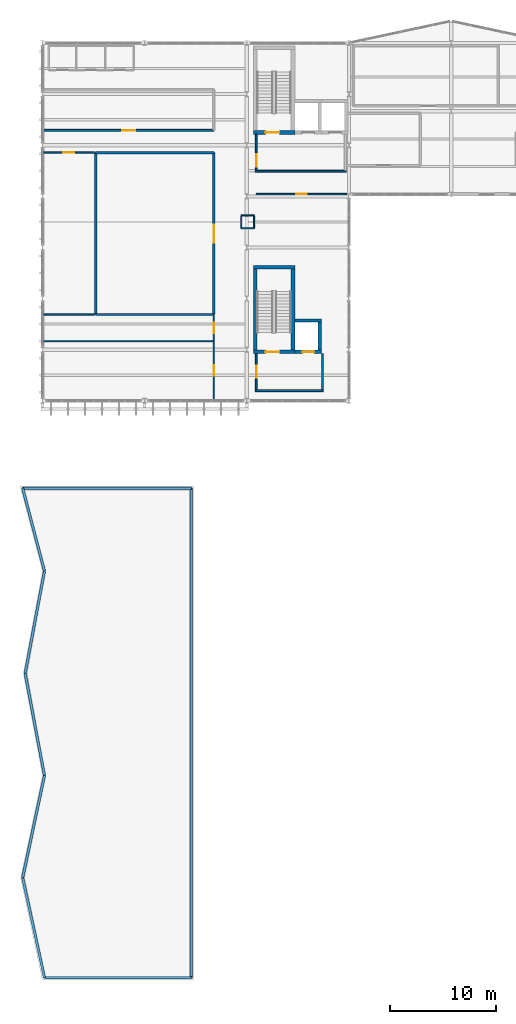
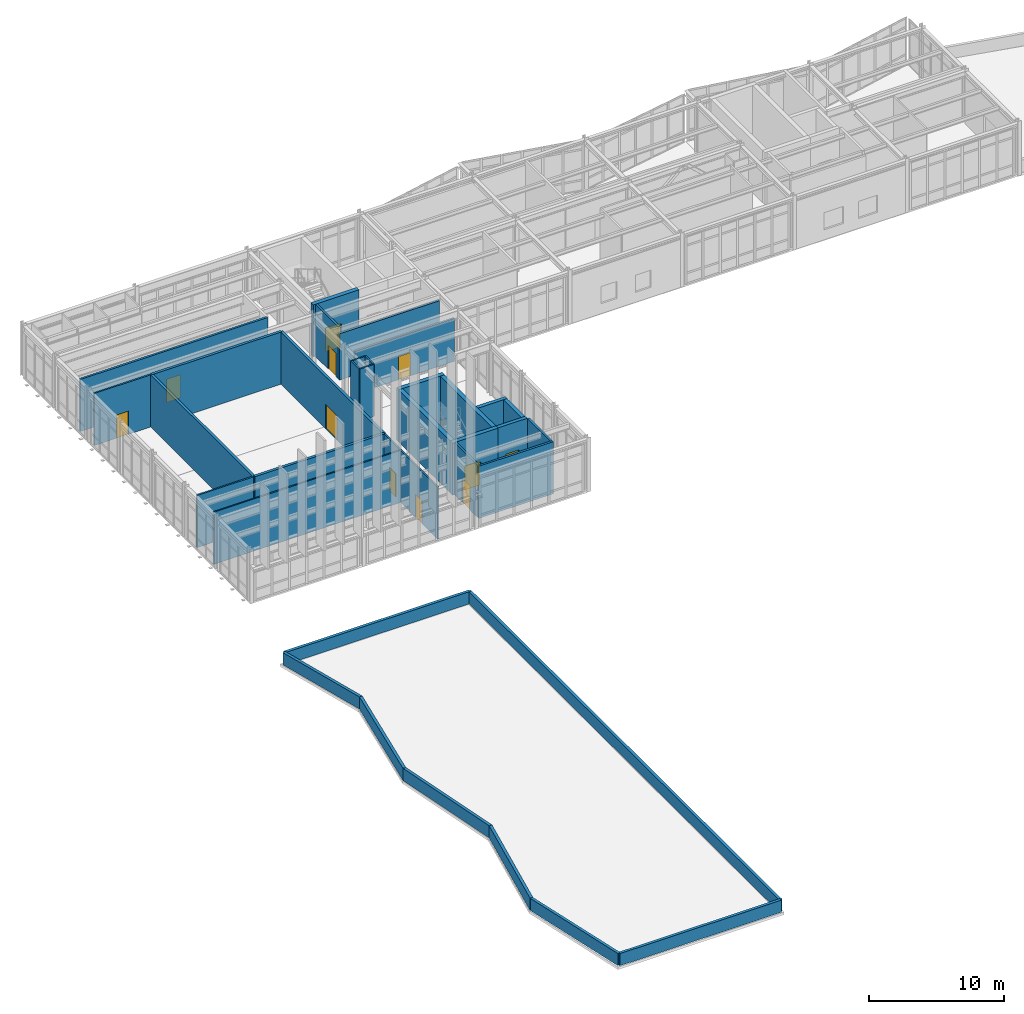
# One storey, part 22 of 28: 36 walls, 11 doors, 11 openings.
"""IFC4 building model written with IfcOpenShell, lengths in metres."""

from ifc_helpers import new_model, si_unit, direction, frame, frame_2d, origin, place, context, subcontext, project, spatial, rectangle, extrude, material, layer, layer_set, type_object, element, fill, save


model = new_model("IFC4")

# Units and contexts
model_context = context("Model", 3, precision=1e-05, world=origin(), true_north=direction((0.0, 1.0)))
body_context = subcontext(model_context, "Body", "Model", "MODEL_VIEW")
ifc_project = project(units=[si_unit("LENGTHUNIT", "METRE"), si_unit("AREAUNIT", "SQUARE_METRE"), si_unit("VOLUMEUNIT", "CUBIC_METRE"), si_unit("PLANEANGLEUNIT", "RADIAN"), si_unit("MASSUNIT", "GRAM", prefix="KILO")], contexts=[model_context])

# Site, building, storey
site_placement = place(None, origin())
site = spatial("IfcSite", under=ifc_project, at=site_placement, CompositionType="ELEMENT")
building_placement = place(site_placement, origin())
building = spatial("IfcBuilding", under=site, at=building_placement, Name="Nordkorset Police Headquarters", CompositionType="ELEMENT")
storey_placement = place(building_placement, frame((0.0, 0.0, 26.25)))
storey = spatial("IfcBuildingStorey", under=building, at=storey_placement, Name="L06", CompositionType="ELEMENT", Elevation=26.25)

# Wall
ifc_material_1 = material(Name="Gypsum board", Category="gypsum")
ifc_layer_1 = layer(ifc_material_1, 0.139892578125, Name="Gypsum board")
ifc_layer_set_1 = layer_set([ifc_layer_1], Name="Gypsum board")
wall_type_1 = type_object("IfcWallType", Name="Wall_Acoust_140", PredefinedType="PARTITIONING", material=ifc_layer_set_1)
wall_1_placement = place(storey_placement, frame((0.0849609375, 91.300048828125, 0.0), z_axis=(0.0, 0.0, 1.0), x_axis=(1.0, 0.0, 0.0)))
element("IfcWall", 1, at=wall_1_placement, inside=storey, type_object=wall_type_1, Name="Interior Partition Wall Gold Command Operations Room", PredefinedType="PARTITIONING", context=body_context, shape_type="SweptSolid", body=[
    extrude(rectangle(XDim=4.81005859375, YDim=0.139892578125, at=frame_2d((2.405029296875, 0.0))), origin(), (0.0, 0.0, 1.0), 4.7099609375),
])

# Wall, opening, door
wall_2_placement = place(storey_placement, frame((4.89501953125, 106.5, 0.0), z_axis=(0.0, 0.0, 1.0), x_axis=(-1.0, 0.0, 0.0)))
wall_2 = element("IfcWall", 2, at=wall_2_placement, inside=storey, type_object=wall_type_1, Name="Interior Partition Wall Gold Command Operations Room", PredefinedType="PARTITIONING", context=body_context, shape_type="SweptSolid", body=[
    extrude(rectangle(XDim=4.81005859375, YDim=0.139892578125, at=frame_2d((2.405029296875, 0.0))), origin(), (0.0, 0.0, 1.0), 4.7099609375),
])
opening_1_placement = place(wall_2_placement, frame((1.89501953125, 0.0, 0.0)))
opening_1 = element("IfcOpeningElement", 3, at=opening_1_placement, cuts=wall_2, Name="Opening DR-19", PredefinedType="OPENING", context=body_context, shape_type="SweptSolid", body=[
    extrude(rectangle(XDim=1.02001953125, YDim=2.10009765625, at=frame_2d((0.510009765625, 1.050048828125))), frame((0.0, 0.080078125, 0.0), z_axis=(0.0, -1.0, 0.0), x_axis=(1.0, 0.0, 0.0)), (0.0, 0.0, 1.0), 0.159912109375),
])
ifc_material_2 = material(Name="Glulam GL30c", Category="wood")
door_type_1 = type_object("IfcDoorType", Name="Door_Office_1020x2100", OperationType="NOTDEFINED", PredefinedType="DOOR", material=ifc_material_2)
door_1_placement = place(opening_1_placement, origin())
door_1 = element("IfcDoor", 4, at=door_1_placement, inside=storey, type_object=door_type_1, Name="Interior Door Gold Command Operations Room", OperationType="SINGLE_SWING_RIGHT", OverallHeight=2.10009765625, OverallWidth=1.02001953125, PredefinedType="DOOR", context=body_context, shape_type="SweptSolid", body=[
    extrude(rectangle(XDim=1.02001953125, YDim=2.10009765625, at=frame_2d((0.510009765625, 1.050048828125))), frame((0.0, 0.02490234375, 0.0), z_axis=(0.0, -1.0, 0.0), x_axis=(1.0, 0.0, 0.0)), (0.0, 0.0, 1.0), 0.050048828125),
])
fill(opening_1, door_1)

wall_3_placement = place(storey_placement, frame((28.60009765625, 102.60009765625, 0.0), z_axis=(0.0, 0.0, 1.0), x_axis=(-1.0, 0.0, 0.0)))
wall_3 = element("IfcWall", 5, at=wall_3_placement, inside=storey, type_object=wall_type_1, Name="Interior Partition Wall Gold Commander Situation Suite", PredefinedType="PARTITIONING", context=body_context, shape_type="SweptSolid", body=[
    extrude(rectangle(XDim=8.52001953125, YDim=0.139892578125, at=frame_2d((4.260009765625, 0.0))), origin(), (0.0, 0.0, 1.0), 3.889892578125),
])
opening_2_placement = place(wall_3_placement, frame((3.75, 0.0, 0.0)))
opening_2 = element("IfcOpeningElement", 6, at=opening_2_placement, cuts=wall_3, Name="Opening DR-19", PredefinedType="OPENING", context=body_context, shape_type="SweptSolid", body=[
    extrude(rectangle(XDim=1.02001953125, YDim=2.10009765625, at=frame_2d((0.510009765625, 1.050048828125))), frame((0.0, 0.080078125, 0.0), z_axis=(0.0, -1.0, 0.0), x_axis=(1.0, 0.0, 0.0)), (0.0, 0.0, 1.0), 0.159912109375),
])
door_2_placement = place(opening_2_placement, origin())
door_2 = element("IfcDoor", 7, at=door_2_placement, inside=storey, type_object=door_type_1, Name="Interior Door Gold Commander Situation Suite", OperationType="SINGLE_SWING_RIGHT", OverallHeight=2.10009765625, OverallWidth=1.02001953125, PredefinedType="DOOR", context=body_context, shape_type="SweptSolid", body=[
    extrude(rectangle(XDim=1.02001953125, YDim=2.10009765625, at=frame_2d((0.510009765625, 1.050048828125))), frame((0.0, 0.02490234375, 0.0), z_axis=(0.0, -1.0, 0.0), x_axis=(1.0, 0.0, 0.0)), (0.0, 0.0, 1.0), 0.050048828125),
])
fill(opening_2, door_2)

# Wall
ifc_material_3 = material(Name="Gypsum board", Category="gypsum")
ifc_layer_2 = layer(ifc_material_3, 0.179931640625, Name="Gypsum board")
ifc_layer_set_2 = layer_set([ifc_layer_2], Name="Gypsum board")
wall_type_2 = type_object("IfcWallType", Name="Wall_Comp_180", PredefinedType="PARTITIONING", material=ifc_layer_set_2)
wall_4_placement = place(storey_placement, frame((20.0, 104.760009765625, 0.0), z_axis=(0.0, 0.0, 1.0), x_axis=(1.0, 0.0, 0.0)))
element("IfcWall", 8, at=wall_4_placement, inside=storey, type_object=wall_type_2, Name="Firefighting Lobby EI 60 Wall K1 L06 S", PredefinedType="PARTITIONING", context=body_context, shape_type="SweptSolid", body=[
    extrude(rectangle(XDim=8.550048828125, YDim=0.179931640625, at=frame_2d((4.27490234375, 0.0))), origin(), (0.0, 0.0, 1.0), 4.18994140625),
])

# Wall, opening, door
wall_5_placement = place(storey_placement, frame((20.090087890625, 104.85009765625, 0.0), z_axis=(0.0, 0.0, 1.0), x_axis=(0.0, 1.0, 0.0)))
wall_5 = element("IfcWall", 9, at=wall_5_placement, inside=storey, type_object=wall_type_2, Name="Firefighting Lobby EI 60 Wall K1 L06 W", PredefinedType="PARTITIONING", context=body_context, shape_type="SweptSolid", body=[
    extrude(rectangle(XDim=3.375, YDim=0.179931640625, at=frame_2d((1.6875, 0.0))), origin(), (0.0, 0.0, 1.0), 4.7099609375),
])
opening_3_placement = place(wall_5_placement, frame((0.35009765625, 0.0, 0.0)))
opening_3 = element("IfcOpeningElement", 10, at=opening_3_placement, cuts=wall_5, Name="Opening DR-01", PredefinedType="OPENING", context=body_context, shape_type="SweptSolid", body=[
    extrude(rectangle(XDim=1.14990234375, YDim=2.14990234375, at=frame_2d((0.574951171875, 1.074951171875))), frame((0.0, 0.10009765625, 0.0), z_axis=(0.0, -1.0, 0.0), x_axis=(1.0, 0.0, 0.0)), (0.0, 0.0, 1.0), 0.199951171875),
])
ifc_material_4 = material(Name="Steel S355J2", Category="steel")
door_type_2 = type_object("IfcDoorType", Name="Door_LobbySingle_1150x2150", OperationType="NOTDEFINED", PredefinedType="DOOR", material=ifc_material_4)
door_3_placement = place(opening_3_placement, origin())
door_3 = element("IfcDoor", 11, at=door_3_placement, inside=storey, type_object=door_type_2, Name="Firefighting Lobby Smoke Door K1 L06 W", OperationType="SINGLE_SWING_LEFT", OverallHeight=2.14990234375, OverallWidth=1.14990234375, PredefinedType="DOOR", context=body_context, shape_type="SweptSolid", body=[
    extrude(rectangle(XDim=1.14990234375, YDim=2.14990234375, at=frame_2d((0.574951171875, 1.074951171875))), frame((0.0, 0.02490234375, 0.0), z_axis=(0.0, -1.0, 0.0), x_axis=(1.0, 0.0, 0.0)), (0.0, 0.0, 1.0), 0.050048828125),
])
fill(opening_3, door_3)

# Wall
wall_6_placement = place(storey_placement, frame((20.0, 84.159912109375, 0.0), z_axis=(0.0, 0.0, 1.0), x_axis=(1.0, 0.0, 0.0)))
element("IfcWall", 12, at=wall_6_placement, inside=storey, type_object=wall_type_2, Name="Firefighting Lobby EI 60 Wall K3 L06 S", PredefinedType="PARTITIONING", context=body_context, shape_type="SweptSolid", body=[
    extrude(rectangle(XDim=6.39990234375, YDim=0.179931640625, at=frame_2d((3.199951171875, 0.0))), origin(), (0.0, 0.0, 1.0), 4.7099609375),
])

# Wall, opening, door
wall_7_placement = place(storey_placement, frame((20.090087890625, 84.25, 0.0), z_axis=(0.0, 0.0, 1.0), x_axis=(0.0, 1.0, 0.0)))
wall_7 = element("IfcWall", 13, at=wall_7_placement, inside=storey, type_object=wall_type_2, Name="Firefighting Lobby EI 60 Wall K3 L06 W", PredefinedType="PARTITIONING", context=body_context, shape_type="SweptSolid", body=[
    extrude(rectangle(XDim=3.375, YDim=0.179931640625, at=frame_2d((1.6875, 0.0))), origin(), (0.0, 0.0, 1.0), 4.7099609375),
])
opening_4_placement = place(wall_7_placement, frame((1.112548828125, 0.0, 0.0)))
opening_4 = element("IfcOpeningElement", 14, at=opening_4_placement, cuts=wall_7, Name="Opening DR-01", PredefinedType="OPENING", context=body_context, shape_type="SweptSolid", body=[
    extrude(rectangle(XDim=1.14990234375, YDim=2.14990234375, at=frame_2d((0.574951171875, 1.074951171875))), frame((0.0, 0.10009765625, 0.0), z_axis=(0.0, -1.0, 0.0), x_axis=(1.0, 0.0, 0.0)), (0.0, 0.0, 1.0), 0.199951171875),
])
door_4_placement = place(opening_4_placement, origin())
door_4 = element("IfcDoor", 15, at=door_4_placement, inside=storey, type_object=door_type_2, Name="Firefighting Lobby Smoke Door K3 L06 W", OperationType="SINGLE_SWING_RIGHT", OverallHeight=2.14990234375, OverallWidth=1.14990234375, PredefinedType="DOOR", context=body_context, shape_type="SweptSolid", body=[
    extrude(rectangle(XDim=1.14990234375, YDim=2.14990234375, at=frame_2d((0.574951171875, 1.074951171875))), frame((0.0, 0.02490234375, 0.0), z_axis=(0.0, -1.0, 0.0), x_axis=(1.0, 0.0, 0.0)), (0.0, 0.0, 1.0), 0.050048828125),
])
fill(opening_4, door_4)

# Wall
wall_8_placement = place(storey_placement, frame((26.31005859375, 84.25, 0.0), z_axis=(0.0, 0.0, 1.0), x_axis=(0.0, 1.0, 0.0)))
element("IfcWall", 16, at=wall_8_placement, inside=storey, type_object=wall_type_2, Name="Firefighting Lobby EI 60 Wall K3 L06 E", PredefinedType="PARTITIONING", context=body_context, shape_type="SweptSolid", body=[
    extrude(rectangle(XDim=3.375, YDim=0.179931640625, at=frame_2d((1.6875, 0.0))), origin(), (0.0, 0.0, 1.0), 4.7099609375),
])

# Wall, opening, door
wall_9_placement = place(storey_placement, frame((0.0849609375, 108.60009765625, 0.0), z_axis=(0.0, 0.0, 1.0), x_axis=(1.0, 0.0, 0.0)))
wall_9 = element("IfcWall", 17, at=wall_9_placement, inside=storey, type_object=wall_type_2, Name="Interior Partition Wall Command Supervisors Suite", PredefinedType="PARTITIONING", context=body_context, shape_type="SweptSolid", body=[
    extrude(rectangle(XDim=16.01513671875, YDim=0.179931640625, at=frame_2d((8.007568359375, 0.0))), origin(), (0.0, 0.0, 1.0), 4.7099609375),
])
opening_5_placement = place(wall_9_placement, frame((7.3974609375, 0.0, 0.0)))
opening_5 = element("IfcOpeningElement", 18, at=opening_5_placement, cuts=wall_9, Name="Opening DR-13", PredefinedType="OPENING", context=body_context, shape_type="SweptSolid", body=[
    extrude(rectangle(XDim=1.219970703125, YDim=2.10009765625, at=frame_2d((0.60986328125, 1.050048828125))), frame((0.0, 0.10009765625, 0.0), z_axis=(0.0, -1.0, 0.0), x_axis=(1.0, 0.0, 0.0)), (0.0, 0.0, 1.0), 0.199951171875),
])
ifc_material_5 = material(Name="Steel S355J2", Category="steel")
door_type_3 = type_object("IfcDoorType", Name="Door_FireComp_1220x2100", OperationType="NOTDEFINED", PredefinedType="DOOR", material=ifc_material_5)
door_5_placement = place(opening_5_placement, frame((1.219970703125, 0.0, 0.0), z_axis=(0.0, 0.0, 1.0), x_axis=(-1.0, 0.0, 0.0)))
door_5 = element("IfcDoor", 19, at=door_5_placement, inside=storey, type_object=door_type_3, Name="Interior Door Command Supervisors Suite", OperationType="SINGLE_SWING_LEFT", OverallHeight=2.10009765625, OverallWidth=1.219970703125, PredefinedType="DOOR", context=body_context, shape_type="SweptSolid", body=[
    extrude(rectangle(XDim=1.219970703125, YDim=2.10009765625, at=frame_2d((0.60986328125, 1.050048828125))), frame((0.0, 0.02490234375, 0.0), z_axis=(0.0, -1.0, 0.0), x_axis=(1.0, 0.0, 0.0)), (0.0, 0.0, 1.0), 0.050048828125),
])
fill(opening_5, door_5)

# Wall
ifc_material_6 = material(Name="Gypsum board", Category="gypsum")
ifc_layer_3 = layer(ifc_material_6, 0.219970703125, Name="Gypsum board")
ifc_layer_set_3 = layer_set([ifc_layer_3], Name="Gypsum board")
wall_type_3 = type_object("IfcWallType", Name="Wall_Comp_220", PredefinedType="PARTITIONING", material=ifc_layer_set_3)
wall_10_placement = place(storey_placement, frame((5.0, 91.300048828125, 0.0), z_axis=(0.0, 0.0, 1.0), x_axis=(1.0, 0.0, 0.0)))
element("IfcWall", 20, at=wall_10_placement, inside=storey, type_object=wall_type_3, Name="Interior Partition Wall Command and Control Room", PredefinedType="PARTITIONING", context=body_context, shape_type="SweptSolid", body=[
    extrude(rectangle(XDim=11.10009765625, YDim=0.219970703125, at=frame_2d((5.550048828125, 0.0))), origin(), (0.0, 0.0, 1.0), 4.7099609375),
])

# Wall, opening, door
wall_11_placement = place(storey_placement, frame((16.10009765625, 91.300048828125, 0.0), z_axis=(0.0, 0.0, 1.0), x_axis=(0.0, 1.0, 0.0)))
wall_11 = element("IfcWall", 21, at=wall_11_placement, inside=storey, type_object=wall_type_3, Name="Interior Partition Wall Command and Control Room", PredefinedType="PARTITIONING", context=body_context, shape_type="SweptSolid", body=[
    extrude(rectangle(XDim=15.199951171875, YDim=0.219970703125, at=frame_2d((7.60009765625, 0.0))), origin(), (0.0, 0.0, 1.0), 4.7099609375),
])
opening_6_placement = place(wall_11_placement, frame((6.760009765625, 0.0, 0.0)))
opening_6 = element("IfcOpeningElement", 22, at=opening_6_placement, cuts=wall_11, Name="Opening DR-15", PredefinedType="OPENING", context=body_context, shape_type="SweptSolid", body=[
    extrude(rectangle(XDim=1.679931640625, YDim=2.199951171875, at=frame_2d((0.83984375, 1.10009765625))), frame((0.0, 0.1201171875, 0.0), z_axis=(0.0, -1.0, 0.0), x_axis=(1.0, 0.0, 0.0)), (0.0, 0.0, 1.0), 0.239990234375),
])
ifc_material_7 = material(Name="Steel S355J2", Category="steel")
door_type_4 = type_object("IfcDoorType", Name="Door_PlantDouble_1680x2200", OperationType="DOUBLE_DOOR_SINGLE_SWING", PredefinedType="DOOR", material=ifc_material_7)
door_6_placement = place(opening_6_placement, frame((1.679931640625, 0.0, 0.0), z_axis=(0.0, 0.0, 1.0), x_axis=(-1.0, 0.0, 0.0)))
door_6 = element("IfcDoor", 23, at=door_6_placement, inside=storey, type_object=door_type_4, Name="Interior Door Command and Control Room", OperationType="DOUBLE_DOOR_SINGLE_SWING", OverallHeight=2.199951171875, OverallWidth=1.679931640625, PredefinedType="DOOR", context=body_context, shape_type="SweptSolid", body=[
    extrude(rectangle(XDim=1.679931640625, YDim=2.199951171875, at=frame_2d((0.83984375, 1.10009765625))), frame((0.0, 0.02490234375, 0.0), z_axis=(0.0, -1.0, 0.0), x_axis=(1.0, 0.0, 0.0)), (0.0, 0.0, 1.0), 0.050048828125),
])
fill(opening_6, door_6)

# Walls
wall_12_placement = place(storey_placement, frame((16.10009765625, 106.5, 0.0), z_axis=(0.0, 0.0, 1.0), x_axis=(-1.0, 0.0, 0.0)))
element("IfcWall", 24, at=wall_12_placement, inside=storey, type_object=wall_type_3, Name="Interior Partition Wall Command and Control Room", PredefinedType="PARTITIONING", context=body_context, shape_type="SweptSolid", body=[
    extrude(rectangle(XDim=11.10009765625, YDim=0.219970703125, at=frame_2d((5.550048828125, 0.0))), origin(), (0.0, 0.0, 1.0), 4.7099609375),
])
wall_13_placement = place(storey_placement, frame((5.0, 106.5, 0.0), z_axis=(0.0, 0.0, 1.0), x_axis=(0.0, -1.0, 0.0)))
element("IfcWall", 25, at=wall_13_placement, inside=storey, type_object=wall_type_3, Name="Interior Partition Wall Command and Control Room", PredefinedType="PARTITIONING", context=body_context, shape_type="SweptSolid", body=[
    extrude(rectangle(XDim=15.199951171875, YDim=0.219970703125, at=frame_2d((7.60009765625, 0.0))), origin(), (0.0, 0.0, 1.0), 4.7099609375),
])

# Wall, opening, door
ifc_material_8 = material(Name="Concrete C35/45", Category="concrete")
ifc_layer_4 = layer(ifc_material_8, 0.35009765625, Name="Concrete C35/45")
ifc_layer_set_4 = layer_set([ifc_layer_4], Name="Concrete C35/45")
wall_type_4 = type_object("IfcWallType", Name="Wall_CoreShear_350", PredefinedType="SHEAR", material=ifc_layer_set_4)
wall_14_placement = place(storey_placement, frame((19.824951171875, 108.39990234375, 0.0), z_axis=(0.0, 0.0, 1.0), x_axis=(1.0, 0.0, 0.0)))
wall_14 = element("IfcWall", 26, at=wall_14_placement, inside=storey, type_object=wall_type_4, Name="Core K1 Stair Shaft South Shear Wall L06", PredefinedType="SHEAR", context=body_context, shape_type="SweptSolid", body=[
    extrude(rectangle(XDim=3.900146484375, YDim=0.35009765625, at=frame_2d((1.9501953125, 0.0))), origin(), (0.0, 0.0, 1.0), 4.7099609375),
])
opening_7_placement = place(wall_14_placement, frame((1.125, 0.0, 0.0)))
opening_7 = element("IfcOpeningElement", 27, at=opening_7_placement, cuts=wall_14, Name="Opening DR-20", PredefinedType="OPENING", context=body_context, shape_type="SweptSolid", body=[
    extrude(rectangle(XDim=1.300048828125, YDim=2.14990234375, at=frame_2d((0.64990234375, 1.074951171875))), frame((0.0, 0.18505859375, 0.0), z_axis=(0.0, -1.0, 0.0), x_axis=(1.0, 0.0, 0.0)), (0.0, 0.0, 1.0), 0.3701171875),
])
ifc_material_9 = material(Name="Steel S355J2", Category="steel")
door_type_5 = type_object("IfcDoorType", Name="Door_Stair_1300x2150", OperationType="NOTDEFINED", PredefinedType="DOOR", material=ifc_material_9)
door_7_placement = place(opening_7_placement, frame((1.300048828125, 0.0, 0.0), z_axis=(0.0, 0.0, 1.0), x_axis=(-1.0, 0.0, 0.0)))
door_7 = element("IfcDoor", 28, at=door_7_placement, inside=storey, type_object=door_type_5, Name="Protected Stair Fire Door ST-01 L06", OperationType="SINGLE_SWING_LEFT", OverallHeight=2.14990234375, OverallWidth=1.300048828125, PredefinedType="DOOR", context=body_context, shape_type="SweptSolid", body=[
    extrude(rectangle(XDim=1.300048828125, YDim=2.14990234375, at=frame_2d((0.64990234375, 1.074951171875))), frame((0.0, 0.02490234375, 0.0), z_axis=(0.0, -1.0, 0.0), x_axis=(1.0, 0.0, 0.0)), (0.0, 0.0, 1.0), 0.050048828125),
])
fill(opening_7, door_7)

wall_15_placement = place(storey_placement, frame((19.824951171875, 87.800048828125, 0.0), z_axis=(0.0, 0.0, 1.0), x_axis=(1.0, 0.0, 0.0)))
wall_15 = element("IfcWall", 29, at=wall_15_placement, inside=storey, type_object=wall_type_4, Name="Core K3 Stair Shaft South Shear Wall L06", PredefinedType="SHEAR", context=body_context, shape_type="SweptSolid", body=[
    extrude(rectangle(XDim=3.900146484375, YDim=0.35009765625, at=frame_2d((1.9501953125, 0.0))), origin(), (0.0, 0.0, 1.0), 4.7099609375),
])
opening_8_placement = place(wall_15_placement, frame((1.125, 0.0, 0.0)))
opening_8 = element("IfcOpeningElement", 30, at=opening_8_placement, cuts=wall_15, Name="Opening DR-20", PredefinedType="OPENING", context=body_context, shape_type="SweptSolid", body=[
    extrude(rectangle(XDim=1.300048828125, YDim=2.14990234375, at=frame_2d((0.64990234375, 1.074951171875))), frame((0.0, 0.18505859375, 0.0), z_axis=(0.0, -1.0, 0.0), x_axis=(1.0, 0.0, 0.0)), (0.0, 0.0, 1.0), 0.3701171875),
])
door_8_placement = place(opening_8_placement, frame((1.300048828125, 0.0, 0.0), z_axis=(0.0, 0.0, 1.0), x_axis=(-1.0, 0.0, 0.0)))
door_8 = element("IfcDoor", 31, at=door_8_placement, inside=storey, type_object=door_type_5, Name="Protected Stair Fire Door ST-03 L06", OperationType="SINGLE_SWING_LEFT", OverallHeight=2.14990234375, OverallWidth=1.300048828125, PredefinedType="DOOR", context=body_context, shape_type="SweptSolid", body=[
    extrude(rectangle(XDim=1.300048828125, YDim=2.14990234375, at=frame_2d((0.64990234375, 1.074951171875))), frame((0.0, 0.02490234375, 0.0), z_axis=(0.0, -1.0, 0.0), x_axis=(1.0, 0.0, 0.0)), (0.0, 0.0, 1.0), 0.050048828125),
])
fill(opening_8, door_8)

# Walls
wall_16_placement = place(storey_placement, frame((19.824951171875, 95.75, 0.0), z_axis=(0.0, 0.0, 1.0), x_axis=(1.0, 0.0, 0.0)))
element("IfcWall", 32, at=wall_16_placement, inside=storey, type_object=wall_type_4, Name="Core K3 Stair Shaft North Shear Wall L06", PredefinedType="SHEAR", context=body_context, shape_type="SweptSolid", body=[
    extrude(rectangle(XDim=3.900146484375, YDim=0.35009765625, at=frame_2d((1.9501953125, 0.0))), origin(), (0.0, 0.0, 1.0), 4.7099609375),
])
for number, where, z_axis, x_axis, name in (
    (33, (20.0, 87.97509765625, 0.0), (0.0, 0.0, 1.0), (0.0, 1.0, 0.0), "Core K3 Stair Shaft West Shear Wall L06"),
    (34, (23.550048828125, 87.97509765625, 0.0), (0.0, 0.0, 1.0), (0.0, 1.0, 0.0), "Core K3 Stair Shaft East Shear Wall L06"),
):
    element("IfcWall", number, at=place(storey_placement, frame(where, z_axis=z_axis, x_axis=x_axis)), inside=storey, type_object=wall_type_4, Name=name, PredefinedType="SHEAR", context=body_context, shape_type="SweptSolid", body=[
        extrude(rectangle(XDim=7.599853515625, YDim=0.35009765625, at=frame_2d((3.7998046875, 0.0))), origin(), (0.0, 0.0, 1.0), 4.7099609375),
    ])
ifc_material_10 = material(Name="Precast concrete C40/50", Category="concrete")
ifc_layer_5 = layer(ifc_material_10, 0.239990234375, Name="Precast concrete C40/50")
ifc_layer_set_5 = layer_set([ifc_layer_5], Name="Precast concrete C40/50")
wall_type_5 = type_object("IfcWallType", Name="Wall_Parapet_240", PredefinedType="PARAPET", material=ifc_layer_set_5)
wall_17_placement = place(storey_placement, frame((0.199951171875, 29.0, 0.0), z_axis=(0.0, 0.0, 1.0), x_axis=(1.0, 0.0, 0.0)))
element("IfcWall", 35, at=wall_17_placement, inside=storey, type_object=wall_type_5, Name="Flat Roof Parapet Wall V3S-L06-1", PredefinedType="PARAPET", context=body_context, shape_type="SweptSolid", body=[
    extrude(rectangle(XDim=13.800048828125, YDim=0.239990234375, at=frame_2d((6.89990234375, 0.0))), origin(), (0.0, 0.0, 1.0), 1.10009765625),
])
wall_18_placement = place(storey_placement, frame((14.0, 29.0, 0.0), z_axis=(0.0, 0.0, 1.0), x_axis=(0.0, 1.0, 0.0)))
element("IfcWall", 36, at=wall_18_placement, inside=storey, type_object=wall_type_5, Name="Flat Roof Parapet Wall V3S-L06-2", PredefinedType="PARAPET", context=body_context, shape_type="SweptSolid", body=[
    extrude(rectangle(XDim=46.0, YDim=0.239990234375, at=frame_2d((23.0, 0.0))), origin(), (0.0, 0.0, 1.0), 1.10009765625),
])
wall_19_placement = place(storey_placement, frame((14.0, 75.0, 0.0), z_axis=(0.0, 0.0, 1.0), x_axis=(-1.0, 0.0, 0.0)))
element("IfcWall", 37, at=wall_19_placement, inside=storey, type_object=wall_type_5, Name="Flat Roof Parapet Wall V3S-L06-3", PredefinedType="PARAPET", context=body_context, shape_type="SweptSolid", body=[
    extrude(rectangle(XDim=15.85009765625, YDim=0.239990234375, at=frame_2d((7.925048828125, 0.0))), origin(), (0.0, 0.0, 1.0), 1.10009765625),
])
wall_20_placement = place(storey_placement, frame((-1.85009765625, 75.0, 0.0), z_axis=(0.0, 0.0, 1.0), x_axis=(0.254192294301, -0.967153699015, 0.0)))
element("IfcWall", 38, at=wall_20_placement, inside=storey, type_object=wall_type_5, Name="Flat Roof Parapet Wall V3S-L06-4", PredefinedType="PARAPET", context=body_context, shape_type="SweptSolid", body=[
    extrude(rectangle(XDim=8.06494140625, YDim=0.239990234375, at=frame_2d((4.032470703125, 0.0))), origin(), (0.0, 0.0, 1.0), 1.10009765625),
])
wall_21_placement = place(storey_placement, frame((0.199951171875, 67.199951171875, 0.0), z_axis=(0.0, 0.0, 1.0), x_axis=(-0.186275016592, -0.982497642844, 0.0)))
element("IfcWall", 39, at=wall_21_placement, inside=storey, type_object=wall_type_5, Name="Flat Roof Parapet Wall V3S-L06-5", PredefinedType="PARAPET", context=body_context, shape_type="SweptSolid", body=[
    extrude(rectangle(XDim=9.770751953125, YDim=0.239990234375, at=frame_2d((4.88525390625, 0.0))), origin(), (0.0, 0.0, 1.0), 1.10009765625),
])
wall_22_placement = place(storey_placement, frame((-1.6201171875, 57.60009765625, 0.0), z_axis=(0.0, 0.0, 1.0), x_axis=(0.186270443787, -0.982498509806, 0.0)))
element("IfcWall", 40, at=wall_22_placement, inside=storey, type_object=wall_type_5, Name="Flat Roof Parapet Wall V3S-L06-6", PredefinedType="PARAPET", context=body_context, shape_type="SweptSolid", body=[
    extrude(rectangle(XDim=9.77099609375, YDim=0.239990234375, at=frame_2d((4.885498046875, 0.0))), origin(), (0.0, 0.0, 1.0), 1.10009765625),
])
wall_23_placement = place(storey_placement, frame((0.199951171875, 48.0, 0.0), z_axis=(0.0, 0.0, 1.0), x_axis=(-0.208836064116, -0.977950662521, 0.0)))
element("IfcWall", 41, at=wall_23_placement, inside=storey, type_object=wall_type_5, Name="Flat Roof Parapet Wall V3S-L06-7", PredefinedType="PARAPET", context=body_context, shape_type="SweptSolid", body=[
    extrude(rectangle(XDim=9.816650390625, YDim=0.239990234375, at=frame_2d((4.908203125, 0.0))), origin(), (0.0, 0.0, 1.0), 1.10009765625),
])
wall_24_placement = place(storey_placement, frame((-1.85009765625, 38.39990234375, 0.0), z_axis=(0.0, 0.0, 1.0), x_axis=(0.213083835107, -0.977033919174, 0.0)))
element("IfcWall", 42, at=wall_24_placement, inside=storey, type_object=wall_type_5, Name="Flat Roof Parapet Wall V3S-L06-8", PredefinedType="PARAPET", context=body_context, shape_type="SweptSolid", body=[
    extrude(rectangle(XDim=9.620849609375, YDim=0.239990234375, at=frame_2d((4.810546875, 0.0))), origin(), (0.0, 0.0, 1.0), 1.10009765625),
])

# Wall, opening, door
ifc_material_11 = material(Name="Gypsum board", Category="gypsum")
ifc_layer_6 = layer(ifc_material_11, 0.1201171875, Name="Gypsum board")
ifc_layer_set_6 = layer_set([ifc_layer_6], Name="Gypsum board")
wall_type_6 = type_object("IfcWallType", Name="Wall_Part_120", PredefinedType="PARTITIONING", material=ifc_layer_set_6)
wall_25_placement = place(storey_placement, frame((16.10009765625, 83.284912109375, 0.0), z_axis=(0.0, 0.0, 1.0), x_axis=(0.0, 1.0, 0.0)))
wall_25 = element("IfcWall", 43, at=wall_25_placement, inside=storey, type_object=wall_type_6, Name="Interior Partition Wall Command Shift Break Conservatory", PredefinedType="PARTITIONING", context=body_context, shape_type="SweptSolid", body=[
    extrude(rectangle(XDim=5.51513671875, YDim=0.1201171875, at=frame_2d((2.757568359375, 0.0))), origin(), (0.0, 0.0, 1.0), 4.7099609375),
])
opening_9_placement = place(wall_25_placement, frame((2.277587890625, 0.0, 0.0)))
opening_9 = element("IfcOpeningElement", 44, at=opening_9_placement, cuts=wall_25, Name="Opening DR-08", PredefinedType="OPENING", context=body_context, shape_type="SweptSolid", body=[
    extrude(rectangle(XDim=0.9599609375, YDim=2.080078125, at=frame_2d((0.47998046875, 1.0400390625))), frame((0.0, 0.070068359375, 0.0), z_axis=(0.0, -1.0, 0.0), x_axis=(1.0, 0.0, 0.0)), (0.0, 0.0, 1.0), 0.14013671875),
])
ifc_material_12 = material(Name="Glulam GL30c", Category="wood")
door_type_6 = type_object("IfcDoorType", Name="Door_Welfare_960x2080", OperationType="NOTDEFINED", PredefinedType="DOOR", material=ifc_material_12)
door_9_placement = place(opening_9_placement, origin())
door_9 = element("IfcDoor", 45, at=door_9_placement, inside=storey, type_object=door_type_6, Name="Interior Door Command Shift Break Conservatory", OperationType="SINGLE_SWING_RIGHT", OverallHeight=2.080078125, OverallWidth=0.9599609375, PredefinedType="DOOR", context=body_context, shape_type="SweptSolid", body=[
    extrude(rectangle(XDim=0.9599609375, YDim=2.080078125, at=frame_2d((0.47998046875, 1.0400390625))), frame((0.0, 0.02490234375, 0.0), z_axis=(0.0, -1.0, 0.0), x_axis=(1.0, 0.0, 0.0)), (0.0, 0.0, 1.0), 0.050048828125),
])
fill(opening_9, door_9)

# Wall
wall_26_placement = place(storey_placement, frame((16.10009765625, 88.800048828125, 0.0), z_axis=(0.0, 0.0, 1.0), x_axis=(-1.0, 0.0, 0.0)))
element("IfcWall", 46, at=wall_26_placement, inside=storey, type_object=wall_type_6, Name="Interior Partition Wall Command Shift Break Conservatory", PredefinedType="PARTITIONING", context=body_context, shape_type="SweptSolid", body=[
    extrude(rectangle(XDim=16.01513671875, YDim=0.1201171875, at=frame_2d((8.007568359375, 0.0))), origin(), (0.0, 0.0, 1.0), 4.7099609375),
])

# Wall, opening, door
wall_27_placement = place(storey_placement, frame((16.10009765625, 88.85498046875, 0.0), z_axis=(0.0, 0.0, 1.0), x_axis=(0.0, 1.0, 0.0)))
wall_27 = element("IfcWall", 47, at=wall_27_placement, inside=storey, type_object=wall_type_6, Name="Interior Partition Wall Tactical Aviation Coordination Office", PredefinedType="PARTITIONING", context=body_context, shape_type="SweptSolid", body=[
    extrude(rectangle(XDim=2.340087890625, YDim=0.1201171875, at=frame_2d((1.169921875, 0.0))), origin(), (0.0, 0.0, 1.0), 4.7099609375),
])
opening_10_placement = place(wall_27_placement, frame((0.679931640625, 0.0, 0.0)))
opening_10 = element("IfcOpeningElement", 48, at=opening_10_placement, cuts=wall_27, Name="Opening DR-18", PredefinedType="OPENING", context=body_context, shape_type="SweptSolid", body=[
    extrude(rectangle(XDim=0.97998046875, YDim=2.10009765625, at=frame_2d((0.489990234375, 1.050048828125))), frame((0.0, 0.070068359375, 0.0), z_axis=(0.0, -1.0, 0.0), x_axis=(1.0, 0.0, 0.0)), (0.0, 0.0, 1.0), 0.14013671875),
])
ifc_material_13 = material(Name="Glulam GL30c", Category="wood")
door_type_7 = type_object("IfcDoorType", Name="Door_Office_980x2100", OperationType="NOTDEFINED", PredefinedType="DOOR", material=ifc_material_13)
door_10_placement = place(opening_10_placement, frame((0.97998046875, 0.0, 0.0), z_axis=(0.0, 0.0, 1.0), x_axis=(-1.0, 0.0, 0.0)))
door_10 = element("IfcDoor", 49, at=door_10_placement, inside=storey, type_object=door_type_7, Name="Interior Door Tactical Aviation Coordination Office", OperationType="SINGLE_SWING_RIGHT", OverallHeight=2.10009765625, OverallWidth=0.97998046875, PredefinedType="DOOR", context=body_context, shape_type="SweptSolid", body=[
    extrude(rectangle(XDim=0.97998046875, YDim=2.10009765625, at=frame_2d((0.489990234375, 1.050048828125))), frame((0.0, 0.02490234375, 0.0), z_axis=(0.0, -1.0, 0.0), x_axis=(1.0, 0.0, 0.0)), (0.0, 0.0, 1.0), 0.050048828125),
])
fill(opening_10, door_10)

# Walls
ifc_material_14 = material(Name="Gypsum board", Category="gypsum")
ifc_layer_7 = layer(ifc_material_14, 0.125, Name="Gypsum board")
ifc_layer_set_7 = layer_set([ifc_layer_7], Name="Gypsum board")
wall_type_7 = type_object("IfcWallType", Name="Wall_Riser_125", PredefinedType="PARTITIONING", material=ifc_layer_set_7)
wall_28_placement = place(storey_placement, frame((18.679931640625, 99.39990234375, 0.0), z_axis=(0.0, 0.0, 1.0), x_axis=(1.0, 0.0, 0.0)))
element("IfcWall", 50, at=wall_28_placement, inside=storey, type_object=wall_type_7, Name="Service Riser Enclosure RSR-V1 L06", PredefinedType="PARTITIONING", context=body_context, shape_type="SweptSolid", body=[
    extrude(rectangle(XDim=1.199951171875, YDim=0.125, at=frame_2d((0.60009765625, 0.0))), origin(), (0.0, 0.0, 1.0), 4.7099609375),
])
wall_29_placement = place(storey_placement, frame((19.8798828125, 99.39990234375, 0.0), z_axis=(0.0, 0.0, 1.0), x_axis=(0.0, 1.0, 0.0)))
element("IfcWall", 51, at=wall_29_placement, inside=storey, type_object=wall_type_7, Name="Service Riser Enclosure RSR-V1 L06", PredefinedType="PARTITIONING", context=body_context, shape_type="SweptSolid", body=[
    extrude(rectangle(XDim=1.2001953125, YDim=0.125, at=frame_2d((0.60009765625, 0.0))), origin(), (0.0, 0.0, 1.0), 4.7099609375),
])
wall_30_placement = place(storey_placement, frame((19.8798828125, 100.60009765625, 0.0), z_axis=(0.0, 0.0, 1.0), x_axis=(-1.0, 0.0, 0.0)))
element("IfcWall", 52, at=wall_30_placement, inside=storey, type_object=wall_type_7, Name="Service Riser Enclosure RSR-V1 L06", PredefinedType="PARTITIONING", context=body_context, shape_type="SweptSolid", body=[
    extrude(rectangle(XDim=1.199951171875, YDim=0.125, at=frame_2d((0.60009765625, 0.0))), origin(), (0.0, 0.0, 1.0), 4.7099609375),
])
wall_31_placement = place(storey_placement, frame((18.679931640625, 100.60009765625, 0.0), z_axis=(0.0, 0.0, 1.0), x_axis=(0.0, -1.0, 0.0)))
element("IfcWall", 53, at=wall_31_placement, inside=storey, type_object=wall_type_7, Name="Service Riser Enclosure RSR-V1 L06", PredefinedType="PARTITIONING", context=body_context, shape_type="SweptSolid", body=[
    extrude(rectangle(XDim=1.2001953125, YDim=0.125, at=frame_2d((0.60009765625, 0.0))), origin(), (0.0, 0.0, 1.0), 4.7099609375),
])

# Wall, opening, door
ifc_material_15 = material(Name="Concrete C35/45", Category="concrete")
ifc_layer_8 = layer(ifc_material_15, 0.300048828125, Name="Concrete C35/45")
ifc_layer_set_8 = layer_set([ifc_layer_8], Name="Concrete C35/45")
wall_type_8 = type_object("IfcWallType", Name="Wall_ShaftShear_300", PredefinedType="SHEAR", material=ifc_layer_set_8)
wall_32_placement = place(storey_placement, frame((23.72509765625, 87.800048828125, 0.0), z_axis=(0.0, 0.0, 1.0), x_axis=(1.0, 0.0, 0.0)))
wall_32 = element("IfcWall", 54, at=wall_32_placement, inside=storey, type_object=wall_type_8, Name="Lift Shaft LF-03 Front Shear Wall L06", PredefinedType="SHEAR", context=body_context, shape_type="SweptSolid", body=[
    extrude(rectangle(XDim=2.5, YDim=0.300048828125, at=frame_2d((1.25, 0.0))), origin(), (0.0, 0.0, 1.0), 4.7099609375),
])
opening_11_placement = place(wall_32_placement, frame((0.699951171875, 0.0, 0.0)))
opening_11 = element("IfcOpeningElement", 55, at=opening_11_placement, cuts=wall_32, Name="Opening LD-03", PredefinedType="OPENING", context=body_context, shape_type="SweptSolid", body=[
    extrude(rectangle(XDim=1.10009765625, YDim=2.10009765625, at=frame_2d((0.550048828125, 1.050048828125))), frame((0.0, 0.16015625, 0.0), z_axis=(0.0, -1.0, 0.0), x_axis=(1.0, 0.0, 0.0)), (0.0, 0.0, 1.0), 0.320068359375),
])
ifc_material_16 = material(Name="Steel S355J2", Category="steel")
door_type_8 = type_object("IfcDoorType", Name="Door_LiftLanding_1100x2100", OperationType="SLIDING_TO_LEFT", PredefinedType="DOOR", material=ifc_material_16)
door_11_placement = place(opening_11_placement, frame((1.10009765625, 0.0, 0.0), z_axis=(0.0, 0.0, 1.0), x_axis=(-1.0, 0.0, 0.0)))
door_11 = element("IfcDoor", 56, at=door_11_placement, inside=storey, type_object=door_type_8, Name="Lift Landing Sliding Door LF-03 L06", OperationType="SLIDING_TO_LEFT", OverallHeight=2.10009765625, OverallWidth=1.10009765625, PredefinedType="DOOR", context=body_context, shape_type="SweptSolid", body=[
    extrude(rectangle(XDim=1.10009765625, YDim=2.10009765625, at=frame_2d((0.550048828125, 1.050048828125))), frame((0.0, 0.02490234375, 0.0), z_axis=(0.0, -1.0, 0.0), x_axis=(1.0, 0.0, 0.0)), (0.0, 0.0, 1.0), 0.050048828125),
])
fill(opening_11, door_11)

# Walls
wall_33_placement = place(storey_placement, frame((23.72509765625, 90.75, 0.0), z_axis=(0.0, 0.0, 1.0), x_axis=(1.0, 0.0, 0.0)))
element("IfcWall", 57, at=wall_33_placement, inside=storey, type_object=wall_type_8, Name="Lift Shaft LF-03 Rear Shear Wall L06", PredefinedType="SHEAR", context=body_context, shape_type="SweptSolid", body=[
    extrude(rectangle(XDim=2.5, YDim=0.300048828125, at=frame_2d((1.25, 0.0))), origin(), (0.0, 0.0, 1.0), 4.7099609375),
])
wall_34_placement = place(storey_placement, frame((26.050048828125, 87.949951171875, 0.0), z_axis=(0.0, 0.0, 1.0), x_axis=(0.0, 1.0, 0.0)))
element("IfcWall", 58, at=wall_34_placement, inside=storey, type_object=wall_type_8, Name="Lift Shaft LF-03 East Shear Wall L06", PredefinedType="SHEAR", context=body_context, shape_type="SweptSolid", body=[
    extrude(rectangle(XDim=2.650146484375, YDim=0.300048828125, at=frame_2d((1.3251953125, 0.0))), origin(), (0.0, 0.0, 1.0), 4.7099609375),
])

save(model, "model.ifc")
